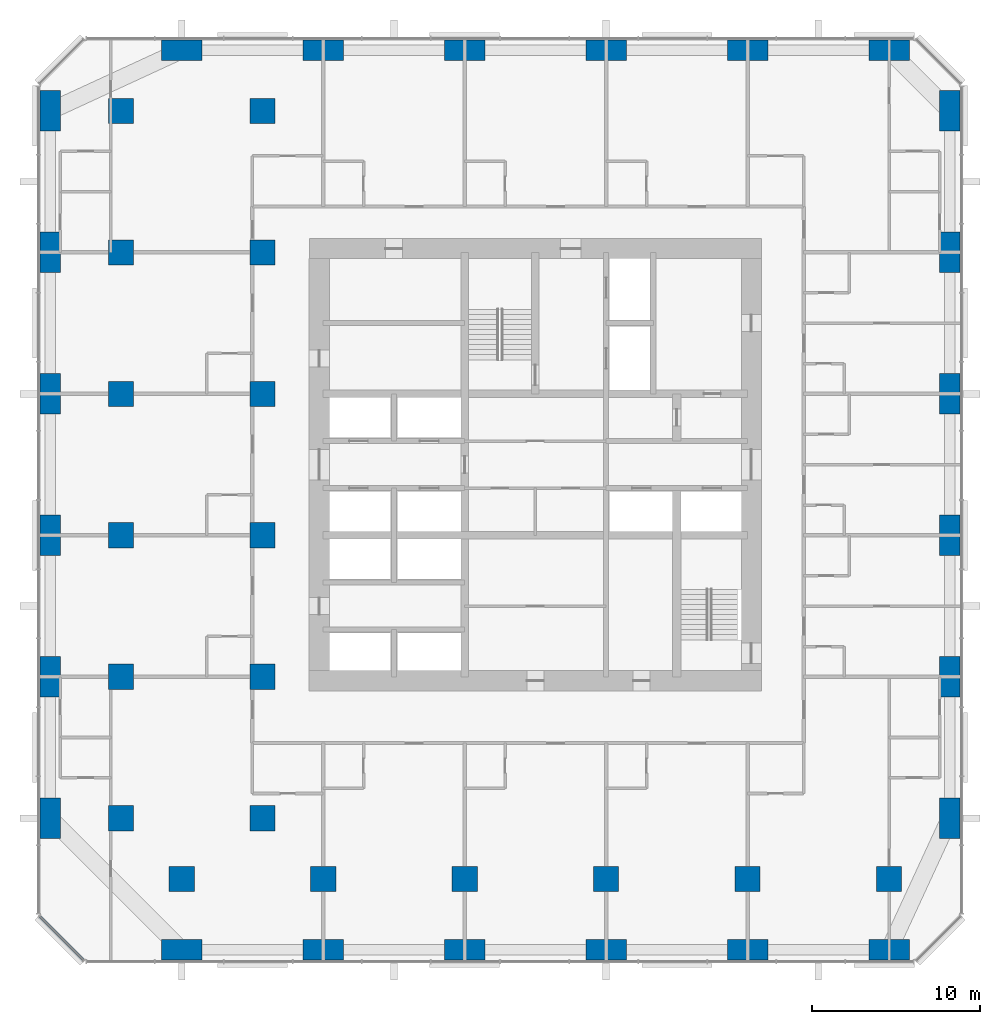
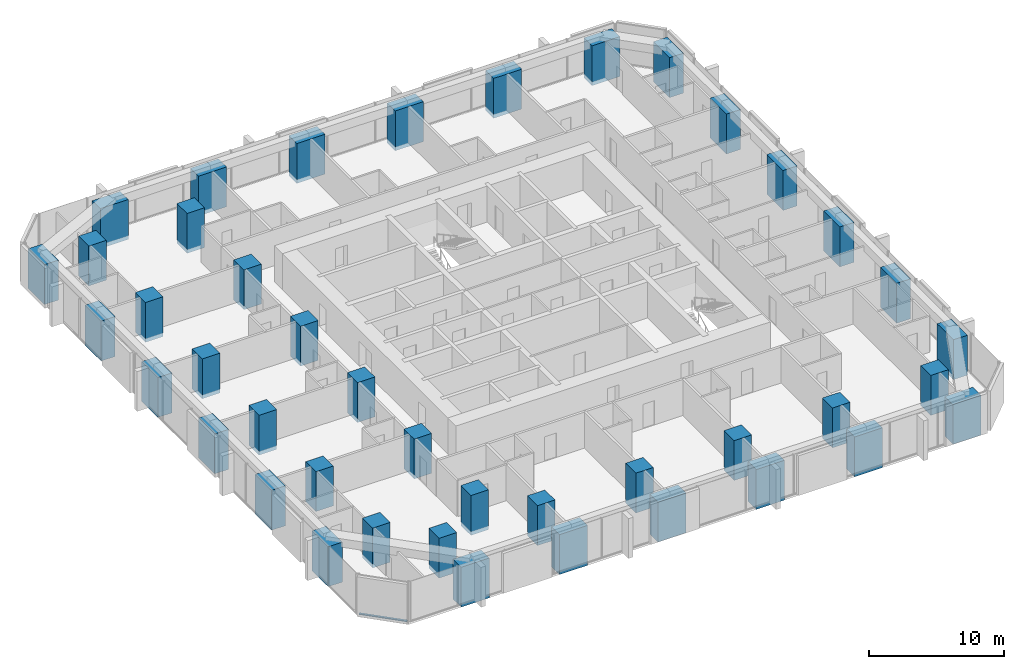
# One storey, part 1 of 13: 42 columns, 1 member, 1 element without a shape of its own.
"""IFC4 building model written with IfcOpenShell, lengths in metres."""

from ifc_helpers import new_model, si_unit, direction, frame, origin, origin_2d, place, context, subcontext, project, spatial, rectangle, extrude, material, material_profile, profile_set, type_object, element, aggregate, save


model = new_model("IFC4")

# Units and contexts
model_context = context("Model", 3, precision=1e-05, world=origin(), true_north=direction((0.0, 1.0)))
body_context = subcontext(model_context, "Body", "Model", "MODEL_VIEW")
ifc_project = project(units=[si_unit("LENGTHUNIT", "METRE"), si_unit("AREAUNIT", "SQUARE_METRE"), si_unit("VOLUMEUNIT", "CUBIC_METRE"), si_unit("PLANEANGLEUNIT", "RADIAN"), si_unit("MASSUNIT", "GRAM", prefix="KILO")], contexts=[model_context])

# Site, building, storey
site_placement = place(None, origin())
site = spatial("IfcSite", under=ifc_project, at=site_placement, CompositionType="ELEMENT")
building_placement = place(site_placement, origin())
building = spatial("IfcBuilding", under=site, at=building_placement, Name="Dunama Terrace Hotel", CompositionType="ELEMENT")
storey_placement = place(building_placement, frame((0.0, 0.0, 111.60009765625)))
storey = spatial("IfcBuildingStorey", under=building, at=storey_placement, Name="L28", CompositionType="ELEMENT", Elevation=111.60009765625)

# Columns
ifc_material_1 = material(Name="Concrete C60/75", Category="concrete")
ifc_material_profile_1 = material_profile(ifc_material_1, rectangle(XDim=1.199951171875, YDim=2.39990234375, at=origin_2d()), Name="RC 1200x2400")
ifc_profile_set_1 = profile_set([ifc_material_profile_1], Name="Concrete C60/75")
column_type_1 = type_object("IfcColumnType", Name="Column RC 1200x2400", PredefinedType="COLUMN", material=ifc_profile_set_1)
for number, where, z_axis, x_axis, name in (
    (1, (0.60009765625, 8.39990234375, -0.35009765625), (0.0, 0.0, 1.0), (1.0, 0.0, 0.0), "Column L28 +0.6/+8.4"),
    (2, (0.60009765625, 16.800048828125, -0.35009765625), (0.0, 0.0, 1.0), (1.0, 0.0, 0.0), "Column L28 +0.6/+16.8"),
    (3, (0.60009765625, 25.199951171875, -0.35009765625), (0.0, 0.0, 1.0), (1.0, 0.0, 0.0), "Column L28 +0.6/+25.2"),
    (4, (0.60009765625, 33.60009765625, -0.35009765625), (0.0, 0.0, 1.0), (1.0, 0.0, 0.0), "Column L28 +0.6/+33.6"),
    (5, (0.60009765625, 42.0, -0.35009765625), (0.0, 0.0, 1.0), (1.0, 0.0, 0.0), "Column L28 +0.6/+42.0"),
    (6, (0.60009765625, 50.39990234375, -0.35009765625), (0.0, 0.0, 1.0), (1.0, 0.0, 0.0), "Column L28 +0.6/+50.4"),
    (7, (54.0, 8.39990234375, -0.35009765625), (0.0, 0.0, 1.0), (1.0, 0.0, 0.0), "Column L28 +54.0/+8.4"),
    (8, (54.0, 16.800048828125, -0.35009765625), (0.0, 0.0, 1.0), (1.0, 0.0, 0.0), "Column L28 +54.0/+16.8"),
    (9, (54.0, 25.199951171875, -0.35009765625), (0.0, 0.0, 1.0), (1.0, 0.0, 0.0), "Column L28 +54.0/+25.2"),
    (10, (54.0, 33.60009765625, -0.35009765625), (0.0, 0.0, 1.0), (1.0, 0.0, 0.0), "Column L28 +54.0/+33.6"),
    (11, (54.0, 42.0, -0.35009765625), (0.0, 0.0, 1.0), (1.0, 0.0, 0.0), "Column L28 +54.0/+42.0"),
    (12, (54.0, 50.39990234375, -0.35009765625), (0.0, 0.0, 1.0), (1.0, 0.0, 0.0), "Column L28 +54.0/+50.4"),
):
    element("IfcColumn", number, at=place(storey_placement, frame(where, z_axis=z_axis, x_axis=x_axis)), inside=storey, type_object=column_type_1, Name=name, PredefinedType="COLUMN", context=body_context, shape_type="SweptSolid", body=[
        extrude(rectangle(XDim=1.199951171875, YDim=2.39990234375, at=origin_2d()), origin(), (0.0, 0.0, 1.0), 3.60009765625),
    ])
ifc_material_2 = material(Name="Concrete C60/75", Category="concrete")
ifc_material_profile_2 = material_profile(ifc_material_2, rectangle(XDim=1.5, YDim=1.5, at=origin_2d()), Name="RC 1500x1500")
ifc_profile_set_2 = profile_set([ifc_material_profile_2], Name="Concrete C60/75")
column_type_2 = type_object("IfcColumnType", Name="Column RC 1500x1500", PredefinedType="COLUMN", material=ifc_profile_set_2)
for number, where, z_axis, x_axis, name in (
    (13, (4.800048828125, 8.39990234375, -0.35009765625), (0.0, 0.0, 1.0), (1.0, 0.0, 0.0), "Column L28 +4.8/+8.4"),
    (14, (4.800048828125, 16.800048828125, -0.35009765625), (0.0, 0.0, 1.0), (1.0, 0.0, 0.0), "Column L28 +4.8/+16.8"),
    (15, (4.800048828125, 25.199951171875, -0.35009765625), (0.0, 0.0, 1.0), (1.0, 0.0, 0.0), "Column L28 +4.8/+25.2"),
    (16, (4.800048828125, 33.60009765625, -0.35009765625), (0.0, 0.0, 1.0), (1.0, 0.0, 0.0), "Column L28 +4.8/+33.6"),
    (17, (4.800048828125, 42.0, -0.35009765625), (0.0, 0.0, 1.0), (1.0, 0.0, 0.0), "Column L28 +4.8/+42.0"),
    (18, (4.800048828125, 50.39990234375, -0.35009765625), (0.0, 0.0, 1.0), (1.0, 0.0, 0.0), "Column L28 +4.8/+50.4"),
    (19, (8.39990234375, 4.800048828125, -0.35009765625), (0.0, 0.0, 1.0), (1.0, 0.0, 0.0), "Column L28 +8.4/+4.8"),
    (20, (13.199951171875, 8.39990234375, -0.35009765625), (0.0, 0.0, 1.0), (1.0, 0.0, 0.0), "Column L28 +13.2/+8.4"),
    (21, (13.199951171875, 16.800048828125, -0.35009765625), (0.0, 0.0, 1.0), (1.0, 0.0, 0.0), "Column L28 +13.2/+16.8"),
    (22, (13.199951171875, 25.199951171875, -0.35009765625), (0.0, 0.0, 1.0), (1.0, 0.0, 0.0), "Column L28 +13.2/+25.2"),
    (23, (13.199951171875, 33.60009765625, -0.35009765625), (0.0, 0.0, 1.0), (1.0, 0.0, 0.0), "Column L28 +13.2/+33.6"),
    (24, (13.199951171875, 42.0, -0.35009765625), (0.0, 0.0, 1.0), (1.0, 0.0, 0.0), "Column L28 +13.2/+42.0"),
    (25, (13.199951171875, 50.39990234375, -0.35009765625), (0.0, 0.0, 1.0), (1.0, 0.0, 0.0), "Column L28 +13.2/+50.4"),
    (26, (16.800048828125, 4.800048828125, -0.35009765625), (0.0, 0.0, 1.0), (1.0, 0.0, 0.0), "Column L28 +16.8/+4.8"),
    (27, (25.199951171875, 4.800048828125, -0.35009765625), (0.0, 0.0, 1.0), (1.0, 0.0, 0.0), "Column L28 +25.2/+4.8"),
    (28, (33.60009765625, 4.800048828125, -0.35009765625), (0.0, 0.0, 1.0), (1.0, 0.0, 0.0), "Column L28 +33.6/+4.8"),
    (29, (42.0, 4.800048828125, -0.35009765625), (0.0, 0.0, 1.0), (1.0, 0.0, 0.0), "Column L28 +42.0/+4.8"),
    (30, (50.39990234375, 4.800048828125, -0.35009765625), (0.0, 0.0, 1.0), (1.0, 0.0, 0.0), "Column L28 +50.4/+4.8"),
):
    element("IfcColumn", number, at=place(storey_placement, frame(where, z_axis=z_axis, x_axis=x_axis)), inside=storey, type_object=column_type_2, Name=name, PredefinedType="COLUMN", context=body_context, shape_type="SweptSolid", body=[
        extrude(rectangle(XDim=1.5, YDim=1.5, at=origin_2d()), origin(), (0.0, 0.0, 1.0), 3.60009765625),
    ])
ifc_material_3 = material(Name="Concrete C60/75", Category="concrete")
ifc_material_profile_3 = material_profile(ifc_material_3, rectangle(XDim=2.39990234375, YDim=1.199951171875, at=origin_2d()), Name="RC 2400x1200")
ifc_profile_set_3 = profile_set([ifc_material_profile_3], Name="Concrete C60/75")
column_type_3 = type_object("IfcColumnType", Name="Column RC 2400x1200", PredefinedType="COLUMN", material=ifc_profile_set_3)
for number, where, z_axis, x_axis, name in (
    (31, (8.39990234375, 0.60009765625, -0.35009765625), (0.0, 0.0, 1.0), (1.0, 0.0, 0.0), "Column L28 +8.4/+0.6"),
    (32, (8.39990234375, 54.0, -0.35009765625), (0.0, 0.0, 1.0), (1.0, 0.0, 0.0), "Column L28 +8.4/+54.0"),
    (33, (16.800048828125, 0.60009765625, -0.35009765625), (0.0, 0.0, 1.0), (1.0, 0.0, 0.0), "Column L28 +16.8/+0.6"),
    (34, (16.800048828125, 54.0, -0.35009765625), (0.0, 0.0, 1.0), (1.0, 0.0, 0.0), "Column L28 +16.8/+54.0"),
    (35, (25.199951171875, 0.60009765625, -0.35009765625), (0.0, 0.0, 1.0), (1.0, 0.0, 0.0), "Column L28 +25.2/+0.6"),
    (36, (25.199951171875, 54.0, -0.35009765625), (0.0, 0.0, 1.0), (1.0, 0.0, 0.0), "Column L28 +25.2/+54.0"),
    (37, (33.60009765625, 0.60009765625, -0.35009765625), (0.0, 0.0, 1.0), (1.0, 0.0, 0.0), "Column L28 +33.6/+0.6"),
    (38, (33.60009765625, 54.0, -0.35009765625), (0.0, 0.0, 1.0), (1.0, 0.0, 0.0), "Column L28 +33.6/+54.0"),
    (39, (42.0, 0.60009765625, -0.35009765625), (0.0, 0.0, 1.0), (1.0, 0.0, 0.0), "Column L28 +42.0/+0.6"),
    (40, (42.0, 54.0, -0.35009765625), (0.0, 0.0, 1.0), (1.0, 0.0, 0.0), "Column L28 +42.0/+54.0"),
    (41, (50.39990234375, 0.60009765625, -0.35009765625), (0.0, 0.0, 1.0), (1.0, 0.0, 0.0), "Column L28 +50.4/+0.6"),
    (42, (50.39990234375, 54.0, -0.35009765625), (0.0, 0.0, 1.0), (1.0, 0.0, 0.0), "Column L28 +50.4/+54.0"),
):
    element("IfcColumn", number, at=place(storey_placement, frame(where, z_axis=z_axis, x_axis=x_axis)), inside=storey, type_object=column_type_3, Name=name, PredefinedType="COLUMN", context=body_context, shape_type="SweptSolid", body=[
        extrude(rectangle(XDim=2.39990234375, YDim=1.199951171875, at=origin_2d()), origin(), (0.0, 0.0, 1.0), 3.60009765625),
    ])

# Curtain wall, member
ifc_material_4 = material(Name="Aluminium curtain wall system", Category="aluminium")
curtain_wall_type = type_object("IfcCurtainWallType", Name="Unitised fritted glass wall CW-B", PredefinedType="NOTDEFINED", material=ifc_material_4)
curtain_wall_placement = place(storey_placement, origin())
curtain_wall = element("IfcCurtainWall", 43, at=curtain_wall_placement, inside=storey, type_object=curtain_wall_type, Name="Unitised fritted glass wall CW-B L28", PredefinedType="NOTDEFINED")
ifc_material_5 = material(Name="Aluminium transom", Category="aluminium")
ifc_material_profile_4 = material_profile(ifc_material_5, rectangle(XDim=0.179931640625, YDim=0.080078125, at=origin_2d()), Name="CWB TRANSOM 180X80")
ifc_profile_set_4 = profile_set([ifc_material_profile_4], Name="Aluminium transom")
member_type = type_object("IfcMemberType", Name="CWB transom 180x80", PredefinedType="USERDEFINED", material=ifc_profile_set_4)
member_placement = place(storey_placement, frame((-0.031982421875, 2.575927734375, 0.039794921875), z_axis=(0.707106781187, -0.707106781187, 0.0), x_axis=(0.707106781187, 0.707106781187, 0.0)))
member = element("IfcMember", 44, at=member_placement, type_object=member_type, Name="CWB transom", ObjectType="TRANSOM", PredefinedType="USERDEFINED", context=body_context, shape_type="SweptSolid", body=[
    extrude(rectangle(XDim=0.179931640625, YDim=0.080078125, at=origin_2d()), origin(), (0.0, 0.0, 1.0), 3.688232421875),
])
aggregate(curtain_wall, [member])

save(model, "model.ifc")
